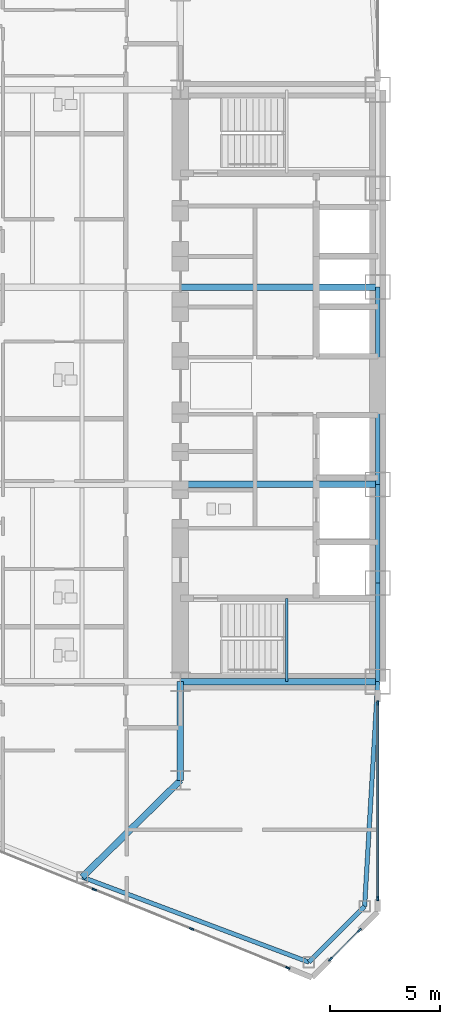
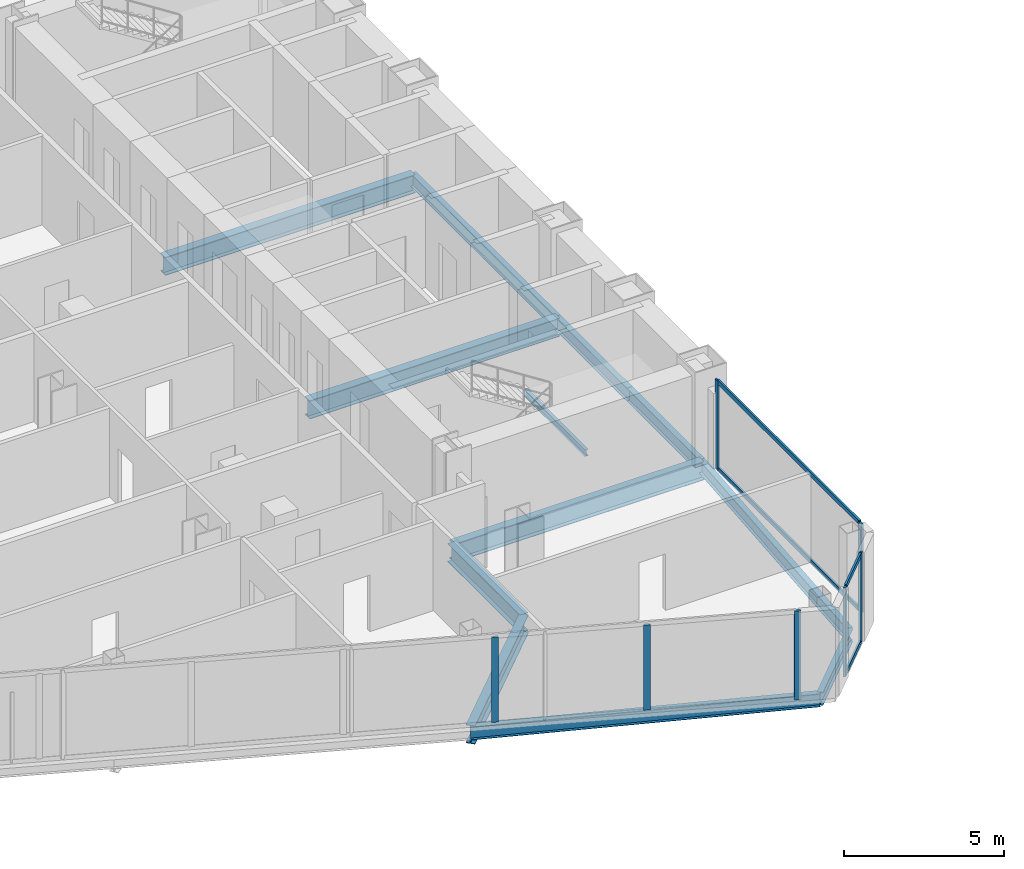
# One storey, part 5 of 25: 12 beams, 11 members, 3 elements without a shape of their own.
"""IFC4 building model written with IfcOpenShell, lengths in metres."""

from ifc_helpers import new_model, si_unit, direction, frame, origin, origin_2d, place, context, subcontext, project, spatial, rectangle, i_section, extrude, source, transform, mapped, material, layer, layer_set, material_profile, profile_set, type_object, type_shapes, element, aggregate, save


model = new_model("IFC4")

# Units and contexts
model_context = context("Model", 3, precision=1e-05, world=origin(), true_north=direction((0.0, 1.0)))
body_context = subcontext(model_context, "Body", "Model", "MODEL_VIEW")
ifc_project = project(units=[si_unit("LENGTHUNIT", "METRE"), si_unit("AREAUNIT", "SQUARE_METRE"), si_unit("VOLUMEUNIT", "CUBIC_METRE"), si_unit("PLANEANGLEUNIT", "RADIAN"), si_unit("MASSUNIT", "GRAM", prefix="KILO")], contexts=[model_context])

# Site, building, storey
site_placement = place(None, origin())
site = spatial("IfcSite", under=ifc_project, at=site_placement, CompositionType="ELEMENT")
building_placement = place(site_placement, origin())
building = spatial("IfcBuilding", under=site, at=building_placement, Name="Seokmaru Belvedere", CompositionType="ELEMENT")
storey_placement = place(building_placement, frame((0.0, 0.0, 36.89990234375)))
storey = spatial("IfcBuildingStorey", under=building, at=storey_placement, Name="L09", CompositionType="ELEMENT", Elevation=36.89990234375)

# Beams
ifc_material_1 = material(Name="Steel SM355 (355 MPa)", Category="steel")
ifc_material_profile_1 = material_profile(ifc_material_1, i_section(OverallWidth=0.199951171875, OverallDepth=0.5, WebThickness=0.010009765625, FlangeThickness=0.01611328125, at=origin_2d()), Name="H-500x200x10x16")
ifc_profile_set_1 = profile_set([ifc_material_profile_1], Name="Steel SM355 (355 MPa)")
beam_type_1 = type_object("IfcBeamType", Name="Perimeter Spandrel Beam H-500", PredefinedType="SPANDREL", material=ifc_profile_set_1)
shared_shape_1 = source(origin(), body_context, "Body", "SweptSolid", [
    extrude(i_section(OverallWidth=0.199951171875, OverallDepth=0.5, WebThickness=0.010009765625, FlangeThickness=0.01611328125, at=origin_2d()), origin(), (0.0, 0.0, 1.0), 4.5),
])
for number, where, z_axis, x_axis, name in (
    (1, (-27.5, -13.5, -0.469970703125), (0.0, 1.0, 0.0), (-1.0, 0.0, 0.0), "L09 W Portal Spine Spandrel 1"),
    (2, (-27.5, -9.0, -0.469970703125), (0.0, 1.0, 0.0), (-1.0, 0.0, 0.0), "L09 W Portal Spine Spandrel 2"),
):
    element("IfcBeam", number, at=place(storey_placement, frame(where, z_axis=z_axis, x_axis=x_axis)), inside=storey, type_object=beam_type_1, Name=name, PredefinedType="SPANDREL", context=body_context, shape_type="MappedRepresentation", body=[
        mapped(shared_shape_1, transform((0.0, 0.0, 0.0), scale=1.0)),
    ])
shared_shape_2 = source(origin(), body_context, "Body", "SweptSolid", [
    extrude(i_section(OverallWidth=0.199951171875, OverallDepth=0.5, WebThickness=0.010009765625, FlangeThickness=0.01611328125, at=origin_2d()), origin(), (0.0, 0.0, 1.0), 9.0),
])
beam_1_placement = place(storey_placement, frame((-27.5, -4.5, -0.469970703125), z_axis=(0.0, 1.0, 0.0), x_axis=(-1.0, 0.0, 0.0)))
element("IfcBeam", 3, at=beam_1_placement, inside=storey, type_object=beam_type_1, Name="L09 W Portal Spine Spandrel 3", PredefinedType="SPANDREL", context=body_context, shape_type="MappedRepresentation", body=[
    mapped(shared_shape_2, transform((0.0, 0.0, 0.0), scale=1.0)),
])
ifc_material_profile_2 = material_profile(ifc_material_1, i_section(OverallWidth=0.300048828125, OverallDepth=0.699951171875, WebThickness=0.012939453125, FlangeThickness=0.02392578125, at=origin_2d()), Name="H-700x300x13x24")
ifc_profile_set_2 = profile_set([ifc_material_profile_2], Name="Steel SM355 (355 MPa)")
beam_type_2 = type_object("IfcBeamType", Name="Primary Floor Girder H-700", PredefinedType="BEAM", material=ifc_profile_set_2)
shared_shape_3 = source(origin(), body_context, "Body", "SweptSolid", [
    extrude(i_section(OverallWidth=0.300048828125, OverallDepth=0.699951171875, WebThickness=0.012939453125, FlangeThickness=0.02392578125, at=origin_2d()), origin(), (0.0, 0.0, 1.0), 4.5),
])
beam_2_placement = place(storey_placement, frame((-36.5, -18.0, -0.56982421875), z_axis=(0.0, 1.0, 0.0), x_axis=(-1.0, 0.0, 0.0)))
element("IfcBeam", 4, at=beam_2_placement, inside=storey, type_object=beam_type_2, Name="L09 W Core Shoulder Girder S", PredefinedType="BEAM", context=body_context, shape_type="MappedRepresentation", body=[
    mapped(shared_shape_3, transform((0.0, 0.0, 0.0), scale=1.0)),
])
shared_shape_4 = source(origin(), body_context, "Body", "SweptSolid", [
    extrude(i_section(OverallWidth=0.300048828125, OverallDepth=0.699951171875, WebThickness=0.012939453125, FlangeThickness=0.02392578125, at=origin_2d()), origin(), (0.0, 0.0, 1.0), 9.0),
])
for number, where, z_axis, x_axis, name in (
    (5, (-36.5, -13.5, -0.56982421875), (1.0, 0.0, 0.0), (0.0, 1.0, 0.0), "L09 W Core Tie Girder 1"),
    (6, (-36.5, -4.5, -0.56982421875), (1.0, 0.0, 0.0), (0.0, 1.0, 0.0), "L09 W Core Tie Girder 2"),
    (7, (-36.5, 4.5, -0.56982421875), (1.0, 0.0, 0.0), (0.0, 1.0, 0.0), "L09 W Core Tie Girder 3"),
):
    element("IfcBeam", number, at=place(storey_placement, frame(where, z_axis=z_axis, x_axis=x_axis)), inside=storey, type_object=beam_type_2, Name=name, PredefinedType="BEAM", context=body_context, shape_type="MappedRepresentation", body=[
        mapped(shared_shape_4, transform((0.0, 0.0, 0.0), scale=1.0)),
    ])
shared_shape_5 = source(origin(), body_context, "Body", "SweptSolid", [
    extrude(i_section(OverallWidth=0.199951171875, OverallDepth=0.5, WebThickness=0.010009765625, FlangeThickness=0.01611328125, at=origin_2d()), origin(), (0.0, 0.0, 1.0), 11.03857421875),
])
beam_3_placement = place(storey_placement, frame((-30.643310546875, -26.294677734375, -0.469970703125), z_axis=(-0.936169110734, 0.351549990907, 0.0), x_axis=(-0.351549990907, -0.936169110734, 0.0)))
element("IfcBeam", 8, at=beam_3_placement, inside=storey, type_object=beam_type_1, Name="L09 W Faceted Flank Spandrel S-1", PredefinedType="SPANDREL", context=body_context, shape_type="MappedRepresentation", body=[
    mapped(shared_shape_5, transform((0.0, 0.0, 0.0), scale=1.0)),
])
shared_shape_6 = source(origin(), body_context, "Body", "SweptSolid", [
    extrude(i_section(OverallWidth=0.199951171875, OverallDepth=0.5, WebThickness=0.010009765625, FlangeThickness=0.01611328125, at=origin_2d()), origin(), (0.0, 0.0, 1.0), 3.5966796875),
])
beam_4_placement = place(storey_placement, frame((-30.643310546875, -26.294677734375, -0.469970703125), z_axis=(0.707106781187, 0.707106781187, 0.0), x_axis=(-0.707106781187, 0.707106781187, 0.0)))
element("IfcBeam", 9, at=beam_4_placement, inside=storey, type_object=beam_type_1, Name="L09 W Shoulder Chamfer Spandrel S", PredefinedType="SPANDREL", context=body_context, shape_type="MappedRepresentation", body=[
    mapped(shared_shape_6, transform((0.0, 0.0, 0.0), scale=1.0)),
])
shared_shape_7 = source(origin(), body_context, "Body", "SweptSolid", [
    extrude(i_section(OverallWidth=0.199951171875, OverallDepth=0.5, WebThickness=0.010009765625, FlangeThickness=0.01611328125, at=origin_2d()), origin(), (0.0, 0.0, 1.0), 10.26904296875),
])
type_shapes(beam_type_1, [shared_shape_1, shared_shape_2, shared_shape_5, shared_shape_6, shared_shape_7])
beam_5_placement = place(storey_placement, frame((-28.10009765625, -23.75146484375, -0.469970703125), z_axis=(0.058437709399, 0.998291056817, 0.0), x_axis=(-0.998291056817, 0.058437709399, 0.0)))
element("IfcBeam", 10, at=beam_5_placement, inside=storey, type_object=beam_type_1, Name="L09 W Shoulder Spine Spandrel S", PredefinedType="SPANDREL", context=body_context, shape_type="MappedRepresentation", body=[
    mapped(shared_shape_7, transform((0.0, 0.0, 0.0), scale=1.0)),
])
shared_shape_8 = source(origin(), body_context, "Body", "SweptSolid", [
    extrude(i_section(OverallWidth=0.300048828125, OverallDepth=0.699951171875, WebThickness=0.012939453125, FlangeThickness=0.02392578125, at=origin_2d()), origin(), (0.0, 0.0, 1.0), 6.287353515625),
])
type_shapes(beam_type_2, [shared_shape_3, shared_shape_4, shared_shape_8])
beam_6_placement = place(storey_placement, frame((-40.977294921875, -22.4140625, -0.56982421875), z_axis=(0.712117485263, 0.702060315915, 0.0), x_axis=(-0.702060315915, 0.712117485263, 0.0)))
element("IfcBeam", 11, at=beam_6_placement, inside=storey, type_object=beam_type_2, Name="L09 W Flank Radial Floor Girder S-1", PredefinedType="BEAM", context=body_context, shape_type="MappedRepresentation", body=[
    mapped(shared_shape_8, transform((0.0, 0.0, 0.0), scale=1.0)),
])

# Curtain wall, members
ifc_material_2 = material(Name="Bronze Triple Insulating Glass", Category="glass")
ifc_layer = layer(ifc_material_2, 0.2099609375)
ifc_layer_set = layer_set([ifc_layer], Name="Bronze Triple Insulating Glass")
curtain_wall_type = type_object("IfcCurtainWallType", Name="Low-Rise Faceted Crystal Curtain Wall System CW-2", PredefinedType="NOTDEFINED", material=ifc_layer_set)
curtain_wall_1_placement = place(storey_placement, origin())
curtain_wall_1 = element("IfcCurtainWall", 12, at=curtain_wall_1_placement, inside=storey, type_object=curtain_wall_type, Name="L09 Curtain Wall WSP_1", PredefinedType="NOTDEFINED")
ifc_material_3 = material(Name="Anodised Bronze Aluminium", Category="aluminium")
ifc_material_profile_3 = material_profile(ifc_material_3, rectangle(XDim=0.074951171875, YDim=0.2099609375, at=origin_2d()), Name="CW-M-75x210")
ifc_profile_set_3 = profile_set([ifc_material_profile_3], Name="Anodised Bronze Aluminium")
member_type_1 = type_object("IfcMemberType", Name="Bronze Unitised Mullion 75x210", PredefinedType="MULLION", material=ifc_profile_set_3)
shared_shape_9 = source(origin(), body_context, "Body", "SweptSolid", [
    extrude(rectangle(XDim=0.074951171875, YDim=0.2099609375, at=origin_2d()), origin(), (0.0, 0.0, 1.0), 3.380126953125),
])
member_1_placement = place(storey_placement, frame((-27.5, -23.392578125, 0.0), z_axis=(0.0, 0.0, 1.0), x_axis=(-1.0, 0.0, 0.0)))
member_1 = element("IfcMember", 13, at=member_1_placement, type_object=member_type_1, Name="CW:L09:WSP_1 Mullion 1", PredefinedType="MULLION", context=body_context, shape_type="MappedRepresentation", body=[
    mapped(shared_shape_9, transform((0.0, 0.0, 0.0), scale=1.0)),
])
member_2_placement = place(storey_placement, frame((-27.5, -14.467529296875, 0.0), z_axis=(0.0, 0.0, 1.0), x_axis=(-1.0, 0.0, 0.0)))
member_2 = element("IfcMember", 14, at=member_2_placement, type_object=member_type_1, Name="CW:L09:WSP_1 Mullion 2", PredefinedType="MULLION", context=body_context, shape_type="MappedRepresentation", body=[
    mapped(shared_shape_9, transform((0.0, 0.0, 0.0), scale=1.0)),
])

# Curtain wall, member
curtain_wall_2_placement = place(storey_placement, origin())
curtain_wall_2 = element("IfcCurtainWall", 15, at=curtain_wall_2_placement, inside=storey, type_object=curtain_wall_type, Name="L09 Curtain Wall WF5", PredefinedType="NOTDEFINED")
member_3_placement = place(storey_placement, frame((-31.600830078125, -26.554443359375, 0.0), z_axis=(0.0, 0.0, 1.0), x_axis=(0.375192321888, 0.926946989637, 0.0)))
member_3 = element("IfcMember", 16, at=member_3_placement, type_object=member_type_1, Name="CW:L09:WF5 Mullion 10", PredefinedType="MULLION", context=body_context, shape_type="MappedRepresentation", body=[
    mapped(shared_shape_9, transform((0.0, 0.0, 0.0), scale=1.0)),
])

# Curtain wall, members
curtain_wall_3_placement = place(storey_placement, origin())
curtain_wall_3 = element("IfcCurtainWall", 17, at=curtain_wall_3_placement, inside=storey, type_object=curtain_wall_type, Name="L09 Curtain Wall WF6", PredefinedType="NOTDEFINED")
member_4_placement = place(storey_placement, frame((-29.660400390625, -26.160400390625, 0.0), z_axis=(0.0, 0.0, 1.0), x_axis=(-0.707106781187, 0.707106781187, 0.0)))
member_4 = element("IfcMember", 18, at=member_4_placement, type_object=member_type_1, Name="CW:L09:WF6 Mullion 1", PredefinedType="MULLION", context=body_context, shape_type="MappedRepresentation", body=[
    mapped(shared_shape_9, transform((0.0, 0.0, 0.0), scale=1.0)),
])
member_5_placement = place(storey_placement, frame((-28.339599609375, -24.839599609375, 0.0), z_axis=(0.0, 0.0, 1.0), x_axis=(-0.707106781187, 0.707106781187, 0.0)))
member_5 = element("IfcMember", 19, at=member_5_placement, type_object=member_type_1, Name="CW:L09:WF6 Mullion 2", PredefinedType="MULLION", context=body_context, shape_type="MappedRepresentation", body=[
    mapped(shared_shape_9, transform((0.0, 0.0, 0.0), scale=1.0)),
])

# Member
ifc_material_profile_4 = material_profile(ifc_material_3, rectangle(XDim=0.070068359375, YDim=0.1650390625, at=origin_2d()), Name="CW-T-70x165")
ifc_profile_set_4 = profile_set([ifc_material_profile_4], Name="Anodised Bronze Aluminium")
member_type_2 = type_object("IfcMemberType", Name="Bronze Unitised Transom 70x165", PredefinedType="USERDEFINED", material=ifc_profile_set_4)
shared_shape_10 = source(origin(), body_context, "Body", "SweptSolid", [
    extrude(rectangle(XDim=0.070068359375, YDim=0.1650390625, at=origin_2d()), origin(), (0.0, 0.0, 1.0), 8.85009765625),
])
member_6_placement = place(storey_placement, frame((-27.5, -23.35498046875, 0.03515625), z_axis=(0.0, 1.0, 0.0), x_axis=(-1.0, 0.0, 0.0)))
member_6 = element("IfcMember", 20, at=member_6_placement, type_object=member_type_2, Name="CW:L09:WSP_1 Continuous Transom 1", ObjectType="TRANSOM", PredefinedType="USERDEFINED", context=body_context, shape_type="MappedRepresentation", body=[
    mapped(shared_shape_10, transform((0.0, 0.0, 0.0), scale=1.0)),
])

member_7_placement = place(storey_placement, frame((-27.5, -23.35498046875, 3.34521484375), z_axis=(0.0, 1.0, 0.0), x_axis=(-1.0, 0.0, 0.0)))
member_7 = element("IfcMember", 21, at=member_7_placement, type_object=member_type_2, Name="CW:L09:WSP_1 Continuous Transom 2", ObjectType="TRANSOM", PredefinedType="USERDEFINED", context=body_context, shape_type="MappedRepresentation", body=[
    mapped(shared_shape_10, transform((0.0, 0.0, 0.0), scale=1.0)),
])

aggregate(curtain_wall_1, [member_1, member_2, member_6, member_7])

shared_shape_11 = source(origin(), body_context, "Body", "SweptSolid", [
    extrude(rectangle(XDim=0.070068359375, YDim=0.1650390625, at=origin_2d()), origin(), (0.0, 0.0, 1.0), 1.792724609375),
])
type_shapes(member_type_2, [shared_shape_10, shared_shape_11])
member_8_placement = place(storey_placement, frame((-29.6337890625, -26.1337890625, 0.03515625), z_axis=(0.707106781187, 0.707106781187, 0.0), x_axis=(-0.707106781187, 0.707106781187, 0.0)))
member_8 = element("IfcMember", 22, at=member_8_placement, type_object=member_type_2, Name="CW:L09:WF6 Continuous Transom 1", ObjectType="TRANSOM", PredefinedType="USERDEFINED", context=body_context, shape_type="MappedRepresentation", body=[
    mapped(shared_shape_11, transform((0.0, 0.0, 0.0), scale=1.0)),
])

member_9_placement = place(storey_placement, frame((-29.6337890625, -26.1337890625, 3.34521484375), z_axis=(0.707106781187, 0.707106781187, 0.0), x_axis=(-0.707106781187, 0.707106781187, 0.0)))
member_9 = element("IfcMember", 23, at=member_9_placement, type_object=member_type_2, Name="CW:L09:WF6 Continuous Transom 2", ObjectType="TRANSOM", PredefinedType="USERDEFINED", context=body_context, shape_type="MappedRepresentation", body=[
    mapped(shared_shape_11, transform((0.0, 0.0, 0.0), scale=1.0)),
])

aggregate(curtain_wall_3, [member_4, member_5, member_8, member_9])

shared_shape_12 = source(origin(), body_context, "Body", "SweptSolid", [
    extrude(rectangle(XDim=0.074951171875, YDim=0.2099609375, at=origin_2d()), origin(), (0.0, 0.0, 1.0), 3.239990234375),
])
type_shapes(member_type_1, [shared_shape_9, shared_shape_12])
member_10_placement = place(storey_placement, frame((-40.425537109375, -22.982421875, 0.070068359375), z_axis=(0.0, 0.0, 1.0), x_axis=(0.375192321888, 0.926946989637, 0.0)))
member_10 = element("IfcMember", 24, at=member_10_placement, type_object=member_type_1, Name="CW:L09:WF5 Mullion 8", PredefinedType="MULLION", context=body_context, shape_type="MappedRepresentation", body=[
    mapped(shared_shape_12, transform((0.0, 0.0, 0.0), scale=1.0)),
])

member_11_placement = place(storey_placement, frame((-35.995849609375, -24.775390625, 0.070068359375), z_axis=(0.0, 0.0, 1.0), x_axis=(0.375192321888, 0.926946989637, 0.0)))
member_11 = element("IfcMember", 25, at=member_11_placement, type_object=member_type_1, Name="CW:L09:WF5 Mullion 9", PredefinedType="MULLION", context=body_context, shape_type="MappedRepresentation", body=[
    mapped(shared_shape_12, transform((0.0, 0.0, 0.0), scale=1.0)),
])

aggregate(curtain_wall_2, [member_10, member_11, member_3])

# Beam
ifc_material_profile_5 = material_profile(ifc_material_1, i_section(OverallWidth=0.125, OverallDepth=0.25, WebThickness=0.006103515625, FlangeThickness=0.009033203125, at=origin_2d()), Name="H-250x125x6x9")
ifc_profile_set_5 = profile_set([ifc_material_profile_5], Name="Steel SM355 (355 MPa)")
beam_type_3 = type_object("IfcBeamType", Name="Stair Mid-Landing Support Beam H-250", PredefinedType="JOIST", material=ifc_profile_set_5)
shared_shape_13 = source(origin(), body_context, "Body", "SweptSolid", [
    extrude(i_section(OverallWidth=0.125, OverallDepth=0.25, WebThickness=0.006103515625, FlangeThickness=0.009033203125, at=origin_2d()), origin(), (0.0, 0.0, 1.0), 3.800048828125),
])
type_shapes(beam_type_3, [shared_shape_13])
beam_7_placement = place(storey_placement, frame((-31.64990234375, -13.5, 1.47509765625), z_axis=(0.0, 1.0, 0.0), x_axis=(-1.0, 0.0, 0.0)))
element("IfcBeam", 26, at=beam_7_placement, inside=storey, type_object=beam_type_3, Name="L09 Stair ST-W1 Mid-Landing Support Beam 1", PredefinedType="JOIST", context=body_context, shape_type="MappedRepresentation", body=[
    mapped(shared_shape_13, transform((0.0, 0.0, 0.0), scale=1.0)),
])

save(model, "model.ifc")
